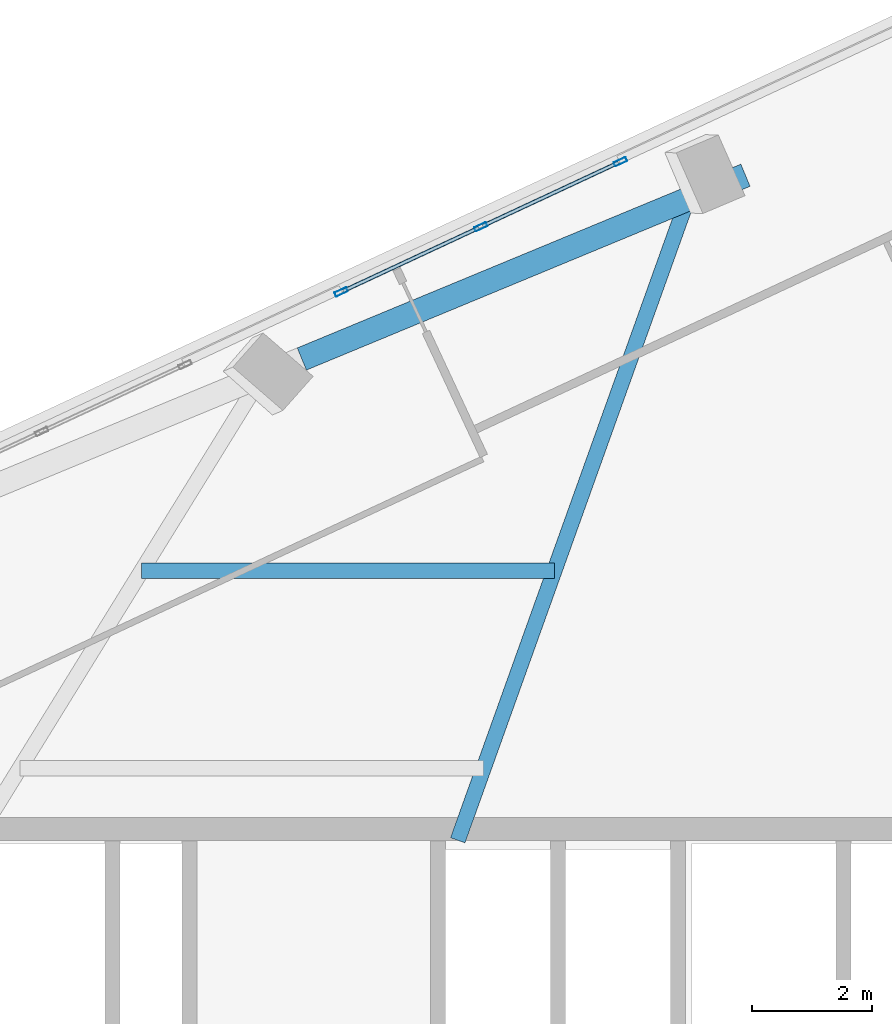
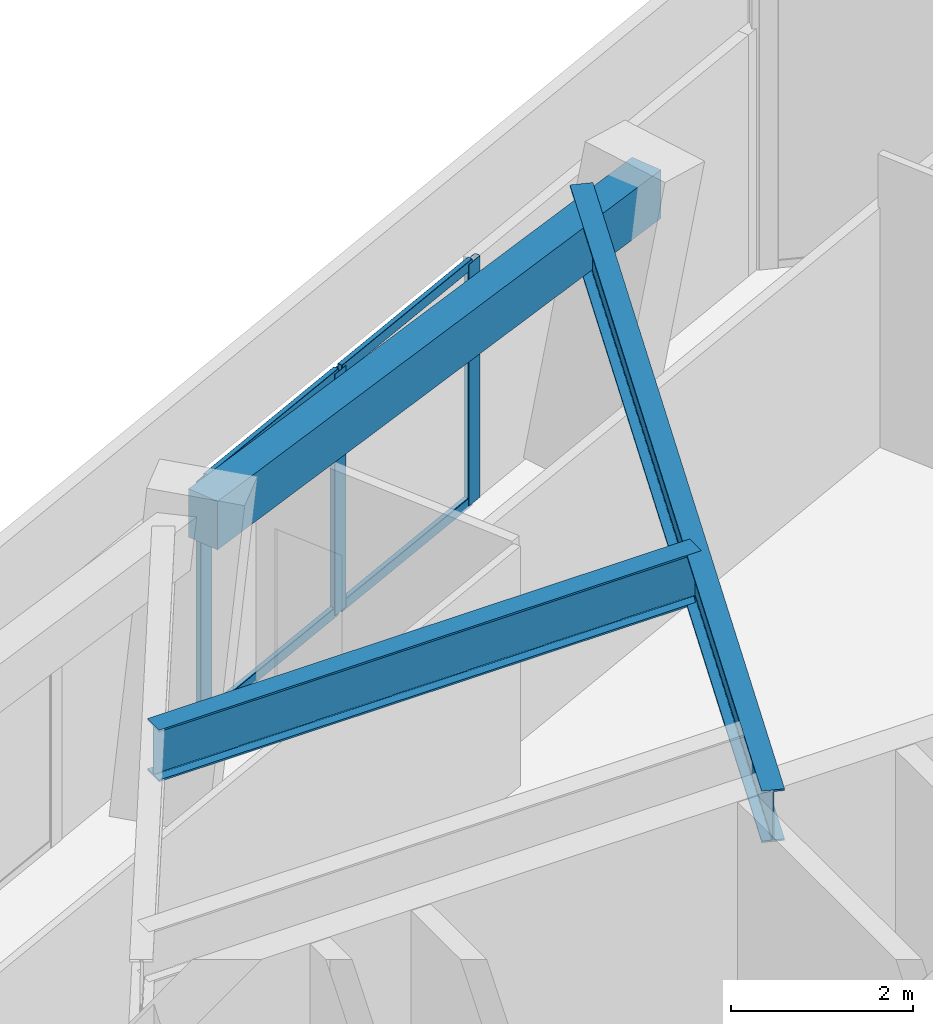
# One storey, part 9 of 16: 7 members, 3 beams, 1 element without a shape of its own.
"""IFC4 building model written with IfcOpenShell, lengths in metres."""

from ifc_helpers import new_model, si_unit, direction, frame, origin, origin_2d, place, context, subcontext, project, spatial, rectangle, hollow_rectangle, i_section, extrude, source, transform, mapped, material, material_profile, profile_set, type_object, element, aggregate, save


model = new_model("IFC4")

# Units and contexts
model_context = context("Model", 3, precision=1e-05, world=origin(), true_north=direction((0.0, 1.0)))
body_context = subcontext(model_context, "Body", "Model", "MODEL_VIEW")
ifc_project = project(units=[si_unit("LENGTHUNIT", "METRE"), si_unit("AREAUNIT", "SQUARE_METRE"), si_unit("VOLUMEUNIT", "CUBIC_METRE"), si_unit("PLANEANGLEUNIT", "RADIAN"), si_unit("MASSUNIT", "GRAM", prefix="KILO")], contexts=[model_context])

# Site, building, storey
site_placement = place(None, origin())
site = spatial("IfcSite", under=ifc_project, at=site_placement, CompositionType="ELEMENT")
building_placement = place(site_placement, origin())
building = spatial("IfcBuilding", under=site, at=building_placement, Name="Torre Montelarca", CompositionType="ELEMENT")
storey_placement = place(building_placement, frame((0.0, 0.0, 345.0)))
storey = spatial("IfcBuildingStorey", under=building, at=storey_placement, Name="L78", CompositionType="ELEMENT", Elevation=345.0)

# Beams
ifc_material_1 = material(Name="Concrete C40/50", Category="concrete")
ifc_material_profile_1 = material_profile(ifc_material_1, rectangle(XDim=0.39990234375, YDim=0.64990234375, at=origin_2d()), Name="RCB400X650", Category="concrete")
ifc_profile_set_1 = profile_set([ifc_material_profile_1], Name="Concrete C40/50")
beam_type_1 = type_object("IfcBeamType", Name="BM-SP-RC650-EXT", PredefinedType="SPANDREL", material=ifc_profile_set_1)
shared_shape_1 = source(origin(), body_context, "Body", "SweptSolid", [
    extrude(rectangle(XDim=0.39990234375, YDim=0.64990234375, at=origin_2d()), origin(), (0.0, 0.0, 1.0), 8.0),
])
beam_1_placement = place(storey_placement, frame((15.0517578125, 47.5673828125, 3.594970703125), z_axis=(0.923878468529, 0.382686001036, 0.0), x_axis=(-0.382686001036, 0.923878468529, 0.0)))
element("IfcBeam", 1, at=beam_1_placement, inside=storey, type_object=beam_type_1, Name="L78 Grid Girder Y 32.0-40.0 at X=4.7", PredefinedType="SPANDREL", context=body_context, shape_type="MappedRepresentation", body=[
    mapped(shared_shape_1, transform((0.0, 0.0, 0.0), scale=1.0)),
])
ifc_material_2 = material(Name="Steel ASTM A992 Grade 50", Category="steel")
ifc_material_profile_2 = material_profile(ifc_material_2, i_section(OverallWidth=0.256103515625, OverallDepth=0.693115234375, WebThickness=0.014404296875, FlangeThickness=0.023681640625, FilletRadius=0.01806640625, at=origin_2d()), Name="W690X170", Category="steel")
ifc_profile_set_2 = profile_set([ifc_material_profile_2], Name="Steel ASTM A992 Grade 50")
beam_type_2 = type_object("IfcBeamType", Name="BM-G-W690", PredefinedType="BEAM", material=ifc_profile_set_2)
shared_shape_2 = source(origin(), body_context, "Body", "SweptSolid", [
    extrude(i_section(OverallWidth=0.256103515625, OverallDepth=0.693115234375, WebThickness=0.014404296875, FlangeThickness=0.023681640625, FilletRadius=0.01806640625, at=origin_2d()), origin(), (0.0, 0.0, 1.0), 11.793701171875),
])
beam_2_placement = place(storey_placement, frame((17.64990234375, 39.550048828125, 3.573486328125), z_axis=(0.337424608622, 0.941352555367, 0.0), x_axis=(-0.941352555367, 0.337424608622, 0.0)))
element("IfcBeam", 2, at=beam_2_placement, inside=storey, type_object=beam_type_2, Name="L78 Crown Stair ST5 East Support Girder", PredefinedType="BEAM", context=body_context, shape_type="MappedRepresentation", body=[
    mapped(shared_shape_2, transform((0.0, 0.0, 0.0), scale=1.0)),
])
shared_shape_3 = source(origin(), body_context, "Body", "SweptSolid", [
    extrude(i_section(OverallWidth=0.256103515625, OverallDepth=0.693115234375, WebThickness=0.014404296875, FlangeThickness=0.023681640625, FilletRadius=0.01806640625, at=origin_2d()), origin(), (0.0, 0.0, 1.0), 6.87548828125),
])
beam_3_placement = place(storey_placement, frame((12.3837890625, 44.0400390625, 3.573486328125), z_axis=(1.0, 0.0, 0.0), x_axis=(0.0, 1.0, 0.0)))
element("IfcBeam", 3, at=beam_3_placement, inside=storey, type_object=beam_type_2, Name="L78 Crown Stair ST5 Transverse Trimmer 2", PredefinedType="BEAM", context=body_context, shape_type="MappedRepresentation", body=[
    mapped(shared_shape_3, transform((0.0, 0.0, 0.0), scale=1.0)),
])

# Curtain wall, members
ifc_material_3 = material(Name="Insulated low-E laminated glass", Category="glass")
curtain_wall_type = type_object("IfcCurtainWallType", Name="CW-SYS-Z4", PredefinedType="USERDEFINED", material=ifc_material_3)
curtain_wall_placement = place(storey_placement, origin())
curtain_wall = element("IfcCurtainWall", 4, at=curtain_wall_placement, inside=storey, type_object=curtain_wall_type, Name="L78 Curtain Wall Run CW-T3-L78-E10-B1", ObjectType="UNITISED GLAZING", PredefinedType="USERDEFINED")
ifc_material_4 = material(Name="Anodised aluminium AA 6063-T6", Category="aluminium")
ifc_material_profile_3 = material_profile(ifc_material_4, hollow_rectangle(XDim=0.06494140625, YDim=0.139892578125, WallThickness=0.00390625, InnerFilletRadius=0.00390625, OuterFilletRadius=0.008056640625, at=origin_2d()), Name="ALU65X140X4", Category="aluminium")
ifc_profile_set_3 = profile_set([ifc_material_profile_3], Name="Anodised aluminium AA 6063-T6")
member_type_1 = type_object("IfcMemberType", Name="CWT-ALU140", PredefinedType="USERDEFINED", material=ifc_profile_set_3)
shared_shape_4 = source(origin(), body_context, "Body", "SweptSolid", [
    extrude(hollow_rectangle(XDim=0.06494140625, YDim=0.139892578125, WallThickness=0.00390625, InnerFilletRadius=0.00390625, OuterFilletRadius=0.008056640625, at=origin_2d()), origin(), (0.0, 0.0, 1.0), 2.48974609375),
])
member_1_placement = place(storey_placement, frame((20.323486328125, 50.837646484375, 0.032470703125), z_axis=(-0.906310854812, -0.422611682813, 0.0), x_axis=(0.422611682813, -0.906310854812, 0.0)))
member_1 = element("IfcMember", 5, at=member_1_placement, type_object=member_type_1, Name="CW transom 1.1", ObjectType="TRANSOM", PredefinedType="USERDEFINED", context=body_context, shape_type="MappedRepresentation", body=[
    mapped(shared_shape_4, transform((0.0, 0.0, 0.0), scale=1.0)),
])
member_2_placement = place(storey_placement, frame((20.323486328125, 50.837646484375, 3.202392578125), z_axis=(-0.906310854812, -0.422611682813, 0.0), x_axis=(0.422611682813, -0.906310854812, 0.0)))
member_2 = element("IfcMember", 6, at=member_2_placement, type_object=member_type_1, Name="CW transom 1.2", ObjectType="TRANSOM", PredefinedType="USERDEFINED", context=body_context, shape_type="MappedRepresentation", body=[
    mapped(shared_shape_4, transform((0.0, 0.0, 0.0), scale=1.0)),
])
shared_shape_5 = source(origin(), body_context, "Body", "SweptSolid", [
    extrude(hollow_rectangle(XDim=0.06494140625, YDim=0.139892578125, WallThickness=0.00390625, InnerFilletRadius=0.00390625, OuterFilletRadius=0.008056640625, at=origin_2d()), origin(), (0.0, 0.0, 1.0), 2.489990234375),
])
member_3_placement = place(storey_placement, frame((17.9990234375, 49.753662109375, 0.032470703125), z_axis=(-0.906328364941, -0.422574129478, 0.0), x_axis=(0.422574129478, -0.906328364941, 0.0)))
member_3 = element("IfcMember", 7, at=member_3_placement, type_object=member_type_1, Name="CW transom 2.1", ObjectType="TRANSOM", PredefinedType="USERDEFINED", context=body_context, shape_type="MappedRepresentation", body=[
    mapped(shared_shape_5, transform((0.0, 0.0, 0.0), scale=1.0)),
])
member_4_placement = place(storey_placement, frame((17.9990234375, 49.753662109375, 3.202392578125), z_axis=(-0.906328364941, -0.422574129478, 0.0), x_axis=(0.422574129478, -0.906328364941, 0.0)))
member_4 = element("IfcMember", 8, at=member_4_placement, type_object=member_type_1, Name="CW transom 2.2", ObjectType="TRANSOM", PredefinedType="USERDEFINED", context=body_context, shape_type="MappedRepresentation", body=[
    mapped(shared_shape_5, transform((0.0, 0.0, 0.0), scale=1.0)),
])
ifc_material_profile_4 = material_profile(ifc_material_4, hollow_rectangle(XDim=0.074951171875, YDim=0.219970703125, WallThickness=0.0048828125, InnerFilletRadius=0.0048828125, OuterFilletRadius=0.010009765625, at=origin_2d()), Name="ALU75X220X5", Category="aluminium")
ifc_profile_set_4 = profile_set([ifc_material_profile_4], Name="Anodised aluminium AA 6063-T6")
member_type_2 = type_object("IfcMemberType", Name="CWM-ALU220", PredefinedType="MULLION", material=ifc_profile_set_4)
shared_shape_6 = source(origin(), body_context, "Body", "SweptSolid", [
    extrude(hollow_rectangle(XDim=0.074951171875, YDim=0.219970703125, WallThickness=0.0048828125, InnerFilletRadius=0.0048828125, OuterFilletRadius=0.010009765625, at=origin_2d()), origin(), (0.0, 0.0, 1.0), 3.235107421875),
])
member_5_placement = place(storey_placement, frame((20.357421875, 50.853515625, 0.0), z_axis=(0.0, 0.0, 1.0), x_axis=(0.422623550817, -0.906305320681, 0.0)))
member_5 = element("IfcMember", 9, at=member_5_placement, type_object=member_type_2, Name="CW mullion 1", PredefinedType="MULLION", context=body_context, shape_type="MappedRepresentation", body=[
    mapped(shared_shape_6, transform((0.0, 0.0, 0.0), scale=1.0)),
])
member_6_placement = place(storey_placement, frame((18.032958984375, 49.76953125, 0.0), z_axis=(0.0, 0.0, 1.0), x_axis=(0.422623550817, -0.906305320681, 0.0)))
member_6 = element("IfcMember", 10, at=member_6_placement, type_object=member_type_2, Name="CW mullion 2", PredefinedType="MULLION", context=body_context, shape_type="MappedRepresentation", body=[
    mapped(shared_shape_6, transform((0.0, 0.0, 0.0), scale=1.0)),
])
member_7_placement = place(storey_placement, frame((15.708251953125, 48.685546875, 0.0), z_axis=(0.0, 0.0, 1.0), x_axis=(0.422623550817, -0.906305320681, 0.0)))
member_7 = element("IfcMember", 11, at=member_7_placement, type_object=member_type_2, Name="CW mullion 3", PredefinedType="MULLION", context=body_context, shape_type="MappedRepresentation", body=[
    mapped(shared_shape_6, transform((0.0, 0.0, 0.0), scale=1.0)),
])
aggregate(curtain_wall, [member_5, member_6, member_7, member_1, member_2, member_3, member_4])

save(model, "model.ifc")
